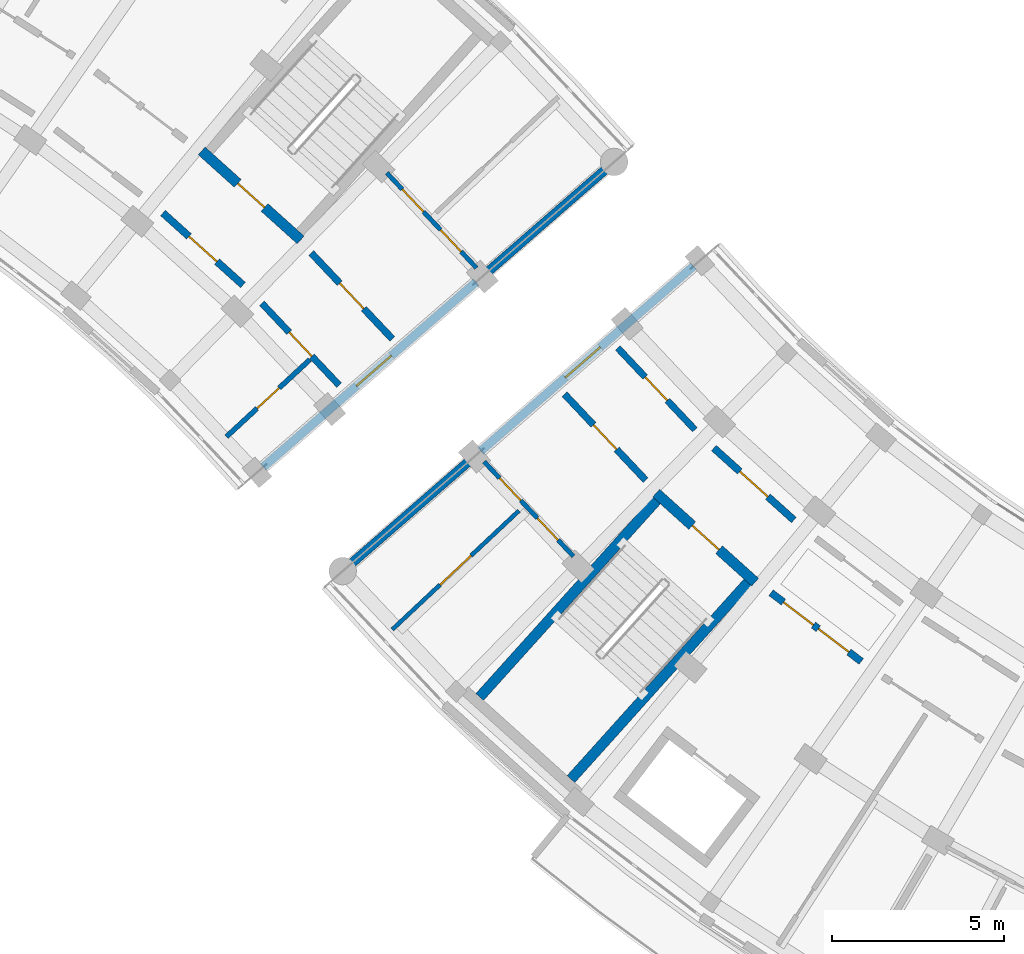
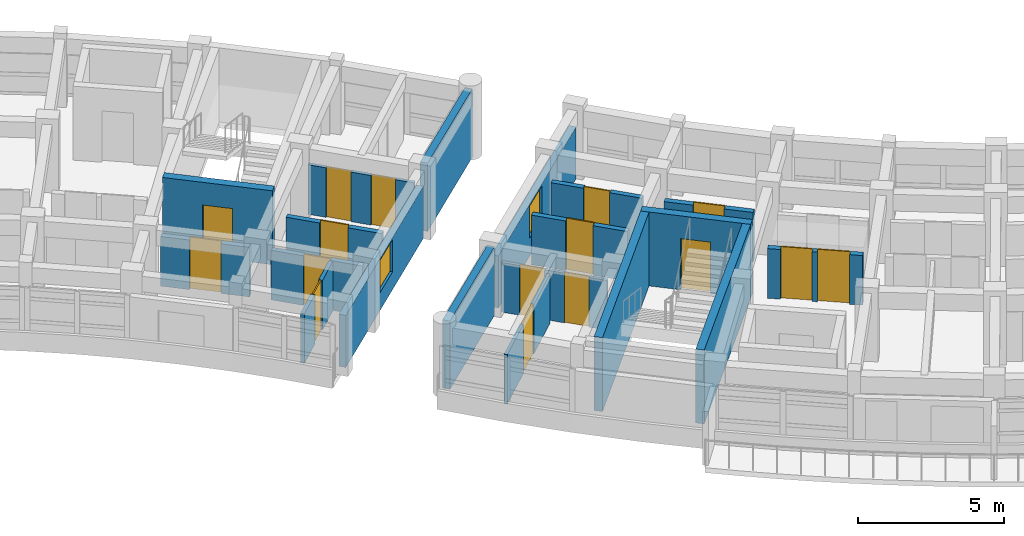
# One storey, part 32 of 54: 19 walls, 16 doors, 2 windows, 18 openings.
"""IFC4 building model written with IfcOpenShell, lengths in metres."""

from ifc_helpers import new_model, si_unit, direction, frame, frame_2d, origin, place, context, subcontext, project, spatial, rectangle, extrude, material, layer, layer_set, type_object, element, fill, save


model = new_model("IFC4")

# Units and contexts
model_context = context("Model", 3, precision=1e-05, world=origin(), true_north=direction((0.0, 1.0)))
body_context = subcontext(model_context, "Body", "Model", "MODEL_VIEW")
ifc_project = project(units=[si_unit("LENGTHUNIT", "METRE"), si_unit("AREAUNIT", "SQUARE_METRE"), si_unit("VOLUMEUNIT", "CUBIC_METRE"), si_unit("PLANEANGLEUNIT", "RADIAN"), si_unit("MASSUNIT", "GRAM", prefix="KILO")], contexts=[model_context])

# Site, building, storey
site_placement = place(None, origin())
site = spatial("IfcSite", under=ifc_project, at=site_placement, CompositionType="ELEMENT")
building_placement = place(site_placement, origin())
building = spatial("IfcBuilding", under=site, at=building_placement, Name="Zimvara Arc Housing Community", CompositionType="ELEMENT")
storey_placement = place(building_placement, frame((0.0, 0.0, 20.5)))
storey = spatial("IfcBuildingStorey", under=building, at=storey_placement, Name="L06", CompositionType="ELEMENT", Elevation=20.5)

# Wall, opening, window
ifc_material_1 = material(Name="Board-Marked Fair-Faced Concrete C35/45", Category="concrete")
ifc_layer_1 = layer(ifc_material_1, 0.2548828125)
ifc_layer_set_1 = layer_set([ifc_layer_1], Name="Board-Marked Fair-Faced Concrete C35/45")
wall_type_1 = type_object("IfcWallType", Name="EWL-CONC-255", PredefinedType="SOLIDWALL", material=ifc_layer_set_1)
wall_1_placement = place(storey_placement, frame((79.233642578125, 74.2587890625, 0.0), z_axis=(0.0, 0.0, 1.0), x_axis=(0.754717680958, 0.656049710044, 0.0)))
wall_1 = element("IfcWall", 1, at=wall_1_placement, inside=storey, type_object=wall_type_1, Name="ewall:blkB:L06:gN", PredefinedType="SOLIDWALL", context=body_context, shape_type="SweptSolid", body=[
    extrude(rectangle(XDim=8.199951171875, YDim=0.2548828125, at=frame_2d((4.10009765625, 0.0))), origin(), (0.0, 0.0, 1.0), 2.179931640625),
])
opening_1_placement = place(wall_1_placement, frame((3.590087890625, 0.0, 0.75)))
opening_1 = element("IfcOpeningElement", 2, at=opening_1_placement, cuts=wall_1, Name="Opening W12", PredefinedType="OPENING", context=body_context, shape_type="SweptSolid", body=[
    extrude(rectangle(XDim=1.35009765625, YDim=1.35009765625, at=frame_2d((0.675048828125, 0.675048828125))), frame((0.0, 0.137451171875, 0.0), z_axis=(0.0, -1.0, 0.0), x_axis=(1.0, 0.0, 0.0)), (0.0, 0.0, 1.0), 0.27490234375),
])
ifc_material_2 = material(Name="Solar Control Low-E Double Glazing", Category="glass")
window_type = type_object("IfcWindowType", Name="WIN-RES-1350x1350", PartitioningType="DOUBLE_PANEL_VERTICAL", PredefinedType="WINDOW", material=ifc_material_2)
window_1_placement = place(opening_1_placement, origin())
window_1 = element("IfcWindow", 3, at=window_1_placement, inside=storey, type_object=window_type, Name="win:blkB:L06:gN:w", OverallHeight=1.35009765625, OverallWidth=1.35009765625, PartitioningType="DOUBLE_PANEL_VERTICAL", PredefinedType="WINDOW", context=body_context, shape_type="SweptSolid", body=[
    extrude(rectangle(XDim=1.35009765625, YDim=1.35009765625, at=frame_2d((0.675048828125, 0.675048828125))), frame((0.0, 0.030029296875, 0.0), z_axis=(0.0, -1.0, 0.0), x_axis=(1.0, 0.0, 0.0)), (0.0, 0.0, 1.0), 0.06005859375),
])
fill(opening_1, window_1)

wall_2_placement = place(storey_placement, frame((91.746337890625, 80.10107421875, 0.0), z_axis=(0.0, 0.0, 1.0), x_axis=(-0.754704866158, -0.656064451862, 0.0)))
wall_2 = element("IfcWall", 4, at=wall_2_placement, inside=storey, type_object=wall_type_1, Name="ewall:blkC:L06:g0", PredefinedType="SOLIDWALL", context=body_context, shape_type="SweptSolid", body=[
    extrude(rectangle(XDim=8.199951171875, YDim=0.2548828125, at=frame_2d((4.10009765625, 0.0))), origin(), (0.0, 0.0, 1.0), 2.179931640625),
])
opening_2_placement = place(wall_2_placement, frame((3.590087890625, 0.0, 0.75)))
opening_2 = element("IfcOpeningElement", 5, at=opening_2_placement, cuts=wall_2, Name="Opening W12", PredefinedType="OPENING", context=body_context, shape_type="SweptSolid", body=[
    extrude(rectangle(XDim=1.35009765625, YDim=1.35009765625, at=frame_2d((0.675048828125, 0.675048828125))), frame((0.0, 0.137451171875, 0.0), z_axis=(0.0, -1.0, 0.0), x_axis=(1.0, 0.0, 0.0)), (0.0, 0.0, 1.0), 0.27490234375),
])
window_2_placement = place(opening_2_placement, origin())
window_2 = element("IfcWindow", 6, at=window_2_placement, inside=storey, type_object=window_type, Name="win:blkC:L06:g0:w", OverallHeight=1.35009765625, OverallWidth=1.35009765625, PartitioningType="DOUBLE_PANEL_VERTICAL", PredefinedType="WINDOW", context=body_context, shape_type="SweptSolid", body=[
    extrude(rectangle(XDim=1.35009765625, YDim=1.35009765625, at=frame_2d((0.675048828125, 0.675048828125))), frame((0.0, 0.030029296875, 0.0), z_axis=(0.0, -1.0, 0.0), x_axis=(1.0, 0.0, 0.0)), (0.0, 0.0, 1.0), 0.06005859375),
])
fill(opening_2, window_2)

# Wall, opening, door
ifc_material_3 = material(Name="Concrete C35/45", Category="concrete")
ifc_layer_2 = layer(ifc_material_3, 0.2099609375)
ifc_layer_set_2 = layer_set([ifc_layer_2], Name="Concrete C35/45")
wall_type_2 = type_object("IfcWallType", Name="IWL-CCF-210", PredefinedType="SOLIDWALL", material=ifc_layer_set_2)
wall_3_placement = place(storey_placement, frame((76.317138671875, 81.644287109375, 0.0), z_axis=(0.0, 0.0, 1.0), x_axis=(0.743387266925, -0.668861249718, 0.0)))
wall_3 = element("IfcWall", 7, at=wall_3_placement, inside=storey, type_object=wall_type_2, Name="iwall:blkB:L06:ccf_div:b8", PredefinedType="SOLIDWALL", context=body_context, shape_type="SweptSolid", body=[
    extrude(rectangle(XDim=3.12841796875, YDim=0.2099609375, at=frame_2d((1.564208984375, 0.0))), origin(), (0.0, 0.0, 1.0), 2.080078125),
])
opening_3_placement = place(wall_3_placement, frame((1.014404296875, 0.0, 0.0)))
opening_3 = element("IfcOpeningElement", 8, at=opening_3_placement, cuts=wall_3, Name="Opening FD-CCF1", PredefinedType="OPENING", context=body_context, shape_type="SweptSolid", body=[
    extrude(rectangle(XDim=1.10009765625, YDim=2.14990234375, at=frame_2d((0.550048828125, 1.074951171875))), frame((0.0, 0.114990234375, 0.0), z_axis=(0.0, -1.0, 0.0), x_axis=(1.0, 0.0, 0.0)), (0.0, 0.0, 1.0), 0.22998046875),
])
ifc_material_4 = material(Name="Anodised Aluminium AW-6063", Category="aluminium")
door_type_1 = type_object("IfcDoorType", Name="IDR-CCF-1100x2150", OperationType="NOTDEFINED", PredefinedType="DOOR", material=ifc_material_4)
door_1_placement = place(opening_3_placement, origin())
door_1 = element("IfcDoor", 9, at=door_1_placement, inside=storey, type_object=door_type_1, Name="idoor:blkB:L06:ccf_in:b8", OperationType="SINGLE_SWING_RIGHT", OverallHeight=2.14990234375, OverallWidth=1.10009765625, PredefinedType="DOOR", context=body_context, shape_type="SweptSolid", body=[
    extrude(rectangle(XDim=1.10009765625, YDim=2.14990234375, at=frame_2d((0.550048828125, 1.074951171875))), frame((0.0, 0.02490234375, 0.0), z_axis=(0.0, -1.0, 0.0), x_axis=(1.0, 0.0, 0.0)), (0.0, 0.0, 1.0), 0.050048828125),
])
fill(opening_3, door_1)

wall_4_placement = place(storey_placement, frame((92.337158203125, 74.808349609375, 0.0), z_axis=(0.0, 0.0, 1.0), x_axis=(0.743348465558, -0.668904371904, 0.0)))
wall_4 = element("IfcWall", 10, at=wall_4_placement, inside=storey, type_object=wall_type_2, Name="iwall:blkC:L06:ccf_div:b1", PredefinedType="SOLIDWALL", context=body_context, shape_type="SweptSolid", body=[
    extrude(rectangle(XDim=3.128662109375, YDim=0.2099609375, at=frame_2d((1.564453125, 0.0))), origin(), (0.0, 0.0, 1.0), 2.080078125),
])
opening_4_placement = place(wall_4_placement, frame((1.014404296875, 0.0, 0.0)))
opening_4 = element("IfcOpeningElement", 11, at=opening_4_placement, cuts=wall_4, Name="Opening FD-CCF1", PredefinedType="OPENING", context=body_context, shape_type="SweptSolid", body=[
    extrude(rectangle(XDim=1.10009765625, YDim=2.14990234375, at=frame_2d((0.550048828125, 1.074951171875))), frame((0.0, 0.114990234375, 0.0), z_axis=(0.0, -1.0, 0.0), x_axis=(1.0, 0.0, 0.0)), (0.0, 0.0, 1.0), 0.22998046875),
])
door_2_placement = place(opening_4_placement, origin())
door_2 = element("IfcDoor", 12, at=door_2_placement, inside=storey, type_object=door_type_1, Name="idoor:blkC:L06:ccf_in:b1", OperationType="SINGLE_SWING_RIGHT", OverallHeight=2.14990234375, OverallWidth=1.10009765625, PredefinedType="DOOR", context=body_context, shape_type="SweptSolid", body=[
    extrude(rectangle(XDim=1.10009765625, YDim=2.14990234375, at=frame_2d((0.550048828125, 1.074951171875))), frame((0.0, 0.02490234375, 0.0), z_axis=(0.0, -1.0, 0.0), x_axis=(1.0, 0.0, 0.0)), (0.0, 0.0, 1.0), 0.050048828125),
])
fill(opening_4, door_2)

# Wall, openings, doors
wall_5_placement = place(storey_placement, frame((94.001220703125, 70.6015625, 0.0), z_axis=(0.0, 0.0, 1.0), x_axis=(0.795498026433, -0.605956178235, 0.0)))
wall_5 = element("IfcWall", 13, at=wall_5_placement, inside=storey, type_object=wall_type_2, Name="iwall:blkC:L06:ll_div:b2", PredefinedType="SOLIDWALL", context=body_context, shape_type="SweptSolid", body=[
    extrude(rectangle(XDim=3.296142578125, YDim=0.2099609375, at=frame_2d((1.64794921875, 0.0))), origin(), (0.0, 0.0, 1.0), 2.080078125),
])
opening_5_placement = place(wall_5_placement, frame((0.449951171875, 0.0, 0.0)))
opening_5 = element("IfcOpeningElement", 14, at=opening_5_placement, cuts=wall_5, Name="Opening FD-CCF1", PredefinedType="OPENING", context=body_context, shape_type="SweptSolid", body=[
    extrude(rectangle(XDim=1.10009765625, YDim=2.14990234375, at=frame_2d((0.550048828125, 1.074951171875))), frame((0.0, 0.114990234375, 0.0), z_axis=(0.0, -1.0, 0.0), x_axis=(1.0, 0.0, 0.0)), (0.0, 0.0, 1.0), 0.22998046875),
])
opening_6_placement = place(wall_5_placement, frame((1.72607421875, 0.0, 0.0)))
opening_6 = element("IfcOpeningElement", 15, at=opening_6_placement, cuts=wall_5, Name="Opening D07", PredefinedType="OPENING", context=body_context, shape_type="SweptSolid", body=[
    extrude(rectangle(XDim=1.1201171875, YDim=2.14990234375, at=frame_2d((0.56005859375, 1.074951171875))), frame((0.0, 0.114990234375, 0.0), z_axis=(0.0, -1.0, 0.0), x_axis=(1.0, 0.0, 0.0)), (0.0, 0.0, 1.0), 0.22998046875),
])
ifc_material_5 = material(Name="Mozambican Hardwood", Category="wood")
door_type_2 = type_object("IfcDoorType", Name="IDR-AMN-1120x2150", OperationType="NOTDEFINED", PredefinedType="DOOR", material=ifc_material_5)
door_3_placement = place(opening_6_placement, origin())
door_3 = element("IfcDoor", 16, at=door_3_placement, inside=storey, type_object=door_type_2, Name="idoor:blkC:L06:rs_in:b2", OperationType="SINGLE_SWING_RIGHT", OverallHeight=2.14990234375, OverallWidth=1.1201171875, PredefinedType="DOOR", context=body_context, shape_type="SweptSolid", body=[
    extrude(rectangle(XDim=1.1201171875, YDim=2.14990234375, at=frame_2d((0.56005859375, 1.074951171875))), frame((0.0, 0.02490234375, 0.0), z_axis=(0.0, -1.0, 0.0), x_axis=(1.0, 0.0, 0.0)), (0.0, 0.0, 1.0), 0.050048828125),
])
fill(opening_6, door_3)
door_4_placement = place(opening_5_placement, origin())
door_4 = element("IfcDoor", 17, at=door_4_placement, inside=storey, type_object=door_type_1, Name="idoor:blkC:L06:ll_in:b2", OperationType="SINGLE_SWING_LEFT", OverallHeight=2.14990234375, OverallWidth=1.10009765625, PredefinedType="DOOR", context=body_context, shape_type="SweptSolid", body=[
    extrude(rectangle(XDim=1.10009765625, YDim=2.14990234375, at=frame_2d((0.550048828125, 1.074951171875))), frame((0.0, 0.02490234375, 0.0), z_axis=(0.0, -1.0, 0.0), x_axis=(1.0, 0.0, 0.0)), (0.0, 0.0, 1.0), 0.050048828125),
])
fill(opening_5, door_4)

# Wall, opening, door
ifc_material_6 = material(Name="Concrete C35/45", Category="concrete")
ifc_layer_3 = layer(ifc_material_6, 0.18994140625)
ifc_layer_set_3 = layer_set([ifc_layer_3], Name="Concrete C35/45")
wall_type_3 = type_object("IfcWallType", Name="IWL-CORR-190", PredefinedType="SOLIDWALL", material=ifc_layer_set_3)
wall_6_placement = place(storey_placement, frame((79.1953125, 79.016357421875, 0.0), z_axis=(0.0, 0.0, 1.0), x_axis=(0.686307658735, -0.727311348434, 0.0)))
wall_6 = element("IfcWall", 18, at=wall_6_placement, inside=storey, type_object=wall_type_3, Name="iwall:blkB:L06:corr_in:b9", PredefinedType="SOLIDWALL", context=body_context, shape_type="SweptSolid", body=[
    extrude(rectangle(XDim=3.268798828125, YDim=0.18994140625, at=frame_2d((1.63427734375, 0.0))), origin(), (0.0, 0.0, 1.0), 2.080078125),
])
opening_7_placement = place(wall_6_placement, frame((1.154296875, 0.0, 0.0)))
opening_7 = element("IfcOpeningElement", 19, at=opening_7_placement, cuts=wall_6, Name="Opening D04", PredefinedType="OPENING", context=body_context, shape_type="SweptSolid", body=[
    extrude(rectangle(XDim=0.9599609375, YDim=2.10009765625, at=frame_2d((0.47998046875, 1.050048828125))), frame((0.0, 0.10498046875, 0.0), z_axis=(0.0, -1.0, 0.0), x_axis=(1.0, 0.0, 0.0)), (0.0, 0.0, 1.0), 0.2099609375),
])
ifc_material_7 = material(Name="Mozambican Hardwood", Category="wood")
door_type_3 = type_object("IfcDoorType", Name="IDR-RM-0960x2100", OperationType="NOTDEFINED", PredefinedType="DOOR", material=ifc_material_7)
door_5_placement = place(opening_7_placement, origin())
door_5 = element("IfcDoor", 20, at=door_5_placement, inside=storey, type_object=door_type_3, Name="idoor:blkB:L06:in_rm:b9", OperationType="SINGLE_SWING_RIGHT", OverallHeight=2.10009765625, OverallWidth=0.9599609375, PredefinedType="DOOR", context=body_context, shape_type="SweptSolid", body=[
    extrude(rectangle(XDim=0.9599609375, YDim=2.10009765625, at=frame_2d((0.47998046875, 1.050048828125))), frame((0.0, 0.02490234375, 0.0), z_axis=(0.0, -1.0, 0.0), x_axis=(1.0, 0.0, 0.0)), (0.0, 0.0, 1.0), 0.050048828125),
])
fill(opening_7, door_5)

wall_7_placement = place(storey_placement, frame((89.541259765625, 77.720947265625, 0.0), z_axis=(0.0, 0.0, 1.0), x_axis=(0.686344941052, -0.727276166179, 0.0)))
wall_7 = element("IfcWall", 21, at=wall_7_placement, inside=storey, type_object=wall_type_3, Name="iwall:blkC:L06:corr_in:b0", PredefinedType="SOLIDWALL", context=body_context, shape_type="SweptSolid", body=[
    extrude(rectangle(XDim=3.2685546875, YDim=0.18994140625, at=frame_2d((1.63427734375, 0.0))), origin(), (0.0, 0.0, 1.0), 2.080078125),
])
opening_8_placement = place(wall_7_placement, frame((1.164306640625, 0.0, 0.0)))
opening_8 = element("IfcOpeningElement", 22, at=opening_8_placement, cuts=wall_7, Name="Opening D03", PredefinedType="OPENING", context=body_context, shape_type="SweptSolid", body=[
    extrude(rectangle(XDim=0.93994140625, YDim=2.10009765625, at=frame_2d((0.469970703125, 1.050048828125))), frame((0.0, 0.10498046875, 0.0), z_axis=(0.0, -1.0, 0.0), x_axis=(1.0, 0.0, 0.0)), (0.0, 0.0, 1.0), 0.2099609375),
])
ifc_material_8 = material(Name="Mozambican Hardwood", Category="wood")
door_type_4 = type_object("IfcDoorType", Name="IDR-RM-0940x2100", OperationType="NOTDEFINED", PredefinedType="DOOR", material=ifc_material_8)
door_6_placement = place(opening_8_placement, origin())
door_6 = element("IfcDoor", 23, at=door_6_placement, inside=storey, type_object=door_type_4, Name="idoor:blkC:L06:in_rm:b0", OperationType="SINGLE_SWING_RIGHT", OverallHeight=2.10009765625, OverallWidth=0.93994140625, PredefinedType="DOOR", context=body_context, shape_type="SweptSolid", body=[
    extrude(rectangle(XDim=0.93994140625, YDim=2.10009765625, at=frame_2d((0.469970703125, 1.050048828125))), frame((0.0, 0.02490234375, 0.0), z_axis=(0.0, -1.0, 0.0), x_axis=(1.0, 0.0, 0.0)), (0.0, 0.0, 1.0), 0.050048828125),
])
fill(opening_8, door_6)

ifc_material_9 = material(Name="Concrete C35/45", Category="concrete")
ifc_layer_4 = layer(ifc_material_9, 0.199951171875)
ifc_layer_set_4 = layer_set([ifc_layer_4], Name="Concrete C35/45")
wall_type_4 = type_object("IfcWallType", Name="IWL-CORR-200", PredefinedType="SOLIDWALL", material=ifc_layer_set_4)
wall_8_placement = place(storey_placement, frame((80.627685546875, 80.48291015625, 0.0), z_axis=(0.0, 0.0, 1.0), x_axis=(0.686310507227, -0.727308660522, 0.0)))
wall_8 = element("IfcWall", 24, at=wall_8_placement, inside=storey, type_object=wall_type_4, Name="iwall:blkB:L06:corr_out:b9", PredefinedType="SOLIDWALL", context=body_context, shape_type="SweptSolid", body=[
    extrude(rectangle(XDim=3.43603515625, YDim=0.199951171875, at=frame_2d((1.718017578125, 0.0))), origin(), (0.0, 0.0, 1.0), 2.080078125),
])
opening_9_placement = place(wall_8_placement, frame((1.2080078125, 0.0, 0.0)))
opening_9 = element("IfcOpeningElement", 25, at=opening_9_placement, cuts=wall_8, Name="Opening FD-FL2", PredefinedType="OPENING", context=body_context, shape_type="SweptSolid", body=[
    extrude(rectangle(XDim=1.02001953125, YDim=2.14990234375, at=frame_2d((0.510009765625, 1.074951171875))), frame((0.0, 0.10986328125, 0.0), z_axis=(0.0, -1.0, 0.0), x_axis=(1.0, 0.0, 0.0)), (0.0, 0.0, 1.0), 0.219970703125),
])
ifc_material_10 = material(Name="Mozambican Hardwood", Category="wood")
door_type_5 = type_object("IfcDoorType", Name="IDR-FLAT-1020x2150", OperationType="NOTDEFINED", PredefinedType="DOOR", material=ifc_material_10)
door_7_placement = place(opening_9_placement, origin())
door_7 = element("IfcDoor", 26, at=door_7_placement, inside=storey, type_object=door_type_5, Name="idoor:blkB:L06:flat:b9", OperationType="SINGLE_SWING_LEFT", OverallHeight=2.14990234375, OverallWidth=1.02001953125, PredefinedType="DOOR", context=body_context, shape_type="SweptSolid", body=[
    extrude(rectangle(XDim=1.02001953125, YDim=2.14990234375, at=frame_2d((0.510009765625, 1.074951171875))), frame((0.0, 0.02490234375, 0.0), z_axis=(0.0, -1.0, 0.0), x_axis=(1.0, 0.0, 0.0)), (0.0, 0.0, 1.0), 0.050048828125),
])
fill(opening_9, door_7)

wall_9_placement = place(storey_placement, frame((87.994140625, 76.3759765625, 0.0), z_axis=(0.0, 0.0, 1.0), x_axis=(0.686310507227, -0.727308660522, 0.0)))
wall_9 = element("IfcWall", 27, at=wall_9_placement, inside=storey, type_object=wall_type_4, Name="iwall:blkC:L06:corr_out:b0", PredefinedType="SOLIDWALL", context=body_context, shape_type="SweptSolid", body=[
    extrude(rectangle(XDim=3.43603515625, YDim=0.199951171875, at=frame_2d((1.718017578125, 0.0))), origin(), (0.0, 0.0, 1.0), 2.080078125),
])
opening_10_placement = place(wall_9_placement, frame((1.22802734375, 0.0, 0.0)))
opening_10 = element("IfcOpeningElement", 28, at=opening_10_placement, cuts=wall_9, Name="Opening FD-FL1", PredefinedType="OPENING", context=body_context, shape_type="SweptSolid", body=[
    extrude(rectangle(XDim=0.97998046875, YDim=2.14990234375, at=frame_2d((0.489990234375, 1.074951171875))), frame((0.0, 0.10986328125, 0.0), z_axis=(0.0, -1.0, 0.0), x_axis=(1.0, 0.0, 0.0)), (0.0, 0.0, 1.0), 0.219970703125),
])
ifc_material_11 = material(Name="Mozambican Hardwood", Category="wood")
door_type_6 = type_object("IfcDoorType", Name="IDR-FLAT-0980x2150", OperationType="NOTDEFINED", PredefinedType="DOOR", material=ifc_material_11)
door_8_placement = place(opening_10_placement, origin())
door_8 = element("IfcDoor", 29, at=door_8_placement, inside=storey, type_object=door_type_6, Name="idoor:blkC:L06:flat:b0", OperationType="SINGLE_SWING_LEFT", OverallHeight=2.14990234375, OverallWidth=0.97998046875, PredefinedType="DOOR", context=body_context, shape_type="SweptSolid", body=[
    extrude(rectangle(XDim=0.97998046875, YDim=2.14990234375, at=frame_2d((0.489990234375, 1.074951171875))), frame((0.0, 0.02490234375, 0.0), z_axis=(0.0, -1.0, 0.0), x_axis=(1.0, 0.0, 0.0)), (0.0, 0.0, 1.0), 0.050048828125),
])
fill(opening_10, door_8)

ifc_material_12 = material(Name="Painted Acoustic Plasterboard")
ifc_layer_5 = layer(ifc_material_12, 0.1201171875)
ifc_layer_set_5 = layer_set([ifc_layer_5], Name="Painted Acoustic Plasterboard")
wall_type_5 = type_object("IfcWallType", Name="IWL-PART-120", PredefinedType="PARTITIONING", material=ifc_layer_set_5)
wall_10_placement = place(storey_placement, frame((86.66748046875, 72.9853515625, 0.0), z_axis=(0.0, 0.0, 1.0), x_axis=(-0.72936983679, -0.684119610288, 0.0)))
wall_10 = element("IfcWall", 30, at=wall_10_placement, inside=storey, type_object=wall_type_5, Name="iwall:blkC:L06:bed_div:b0", PredefinedType="PARTITIONING", context=body_context, shape_type="SweptSolid", body=[
    extrude(rectangle(XDim=5.050048828125, YDim=0.1201171875, at=frame_2d((2.52490234375, 0.0))), origin(), (0.0, 0.0, 1.0), 2.080078125),
])
opening_11_placement = place(wall_10_placement, frame((1.905029296875, 0.0, 0.0)))
opening_11 = element("IfcOpeningElement", 31, at=opening_11_placement, cuts=wall_10, Name="Opening D19", PredefinedType="OPENING", context=body_context, shape_type="SweptSolid", body=[
    extrude(rectangle(XDim=1.239990234375, YDim=2.10009765625, at=frame_2d((0.6201171875, 1.050048828125))), frame((0.0, 0.070068359375, 0.0), z_axis=(0.0, -1.0, 0.0), x_axis=(1.0, 0.0, 0.0)), (0.0, 0.0, 1.0), 0.14013671875),
])
ifc_material_13 = material(Name="Mozambican Hardwood", Category="wood")
door_type_7 = type_object("IfcDoorType", Name="IDR-MOD-1240x2180", OperationType="NOTDEFINED", PredefinedType="DOOR", material=ifc_material_13)
door_9_placement = place(opening_11_placement, origin())
door_9 = element("IfcDoor", 32, at=door_9_placement, inside=storey, type_object=door_type_7, Name="idoor:blkC:L06:bed_d:b0", OperationType="SINGLE_SWING_LEFT", OverallHeight=2.10009765625, OverallWidth=1.239990234375, PredefinedType="DOOR", context=body_context, shape_type="SweptSolid", body=[
    extrude(rectangle(XDim=1.239990234375, YDim=2.10009765625, at=frame_2d((0.6201171875, 1.050048828125))), frame((0.0, 0.02490234375, 0.0), z_axis=(0.0, -1.0, 0.0), x_axis=(1.0, 0.0, 0.0)), (0.0, 0.0, 1.0), 0.050048828125),
])
fill(opening_11, door_9)

# Wall, openings, doors
ifc_material_14 = material(Name="Painted Acoustic Plasterboard")
ifc_layer_6 = layer(ifc_material_14, 0.1298828125)
ifc_layer_set_6 = layer_set([ifc_layer_6], Name="Painted Acoustic Plasterboard")
wall_type_6 = type_object("IfcWallType", Name="IWL-PART-130", PredefinedType="PARTITIONING", material=ifc_layer_set_6)
wall_11_placement = place(storey_placement, frame((82.8291015625, 82.808837890625, 0.0), z_axis=(0.0, 0.0, 1.0), x_axis=(0.686300649561, -0.727317962388, 0.0)))
wall_11 = element("IfcWall", 33, at=wall_11_placement, inside=storey, type_object=wall_type_6, Name="iwall:blkB:L06:srv:b9", PredefinedType="PARTITIONING", context=body_context, shape_type="SweptSolid", body=[
    extrude(rectangle(XDim=3.79736328125, YDim=0.1298828125, at=frame_2d((1.898681640625, 0.0))), origin(), (0.0, 0.0, 1.0), 2.080078125),
])
opening_12_placement = place(wall_11_placement, frame((0.64990234375, 0.0, 0.0)))
opening_12 = element("IfcOpeningElement", 34, at=opening_12_placement, cuts=wall_11, Name="Opening D01", PredefinedType="OPENING", context=body_context, shape_type="SweptSolid", body=[
    extrude(rectangle(XDim=0.89990234375, YDim=2.10009765625, at=frame_2d((0.449951171875, 1.050048828125))), frame((0.0, 0.074951171875, 0.0), z_axis=(0.0, -1.0, 0.0), x_axis=(1.0, 0.0, 0.0)), (0.0, 0.0, 1.0), 0.14990234375),
])
opening_13_placement = place(wall_11_placement, frame((2.267333984375, 0.0, 0.0)))
opening_13 = element("IfcOpeningElement", 35, at=opening_13_placement, cuts=wall_11, Name="Opening D05", PredefinedType="OPENING", context=body_context, shape_type="SweptSolid", body=[
    extrude(rectangle(XDim=0.8798828125, YDim=2.10009765625, at=frame_2d((0.43994140625, 1.050048828125))), frame((0.0, 0.074951171875, 0.0), z_axis=(0.0, -1.0, 0.0), x_axis=(1.0, 0.0, 0.0)), (0.0, 0.0, 1.0), 0.14990234375),
])
ifc_material_15 = material(Name="Mozambican Hardwood", Category="wood")
door_type_8 = type_object("IfcDoorType", Name="IDR-RM-0900x2100", OperationType="NOTDEFINED", PredefinedType="DOOR", material=ifc_material_15)
door_10_placement = place(opening_12_placement, origin())
door_10 = element("IfcDoor", 36, at=door_10_placement, inside=storey, type_object=door_type_8, Name="idoor:blkB:L06:kit_liv:b9", OperationType="SINGLE_SWING_RIGHT", OverallHeight=2.10009765625, OverallWidth=0.89990234375, PredefinedType="DOOR", context=body_context, shape_type="SweptSolid", body=[
    extrude(rectangle(XDim=0.89990234375, YDim=2.10009765625, at=frame_2d((0.449951171875, 1.050048828125))), frame((0.0, 0.02490234375, 0.0), z_axis=(0.0, -1.0, 0.0), x_axis=(1.0, 0.0, 0.0)), (0.0, 0.0, 1.0), 0.050048828125),
])
fill(opening_12, door_10)
ifc_material_16 = material(Name="Mozambican Hardwood", Category="wood")
door_type_9 = type_object("IfcDoorType", Name="IDR-WC-0880x2100", OperationType="NOTDEFINED", PredefinedType="DOOR", material=ifc_material_16)
door_11_placement = place(opening_13_placement, origin())
door_11 = element("IfcDoor", 37, at=door_11_placement, inside=storey, type_object=door_type_9, Name="idoor:blkB:L06:bath_d:b9", OperationType="SINGLE_SWING_LEFT", OverallHeight=2.10009765625, OverallWidth=0.8798828125, PredefinedType="DOOR", context=body_context, shape_type="SweptSolid", body=[
    extrude(rectangle(XDim=0.8798828125, YDim=2.10009765625, at=frame_2d((0.43994140625, 1.050048828125))), frame((0.0, 0.02490234375, 0.0), z_axis=(0.0, -1.0, 0.0), x_axis=(1.0, 0.0, 0.0)), (0.0, 0.0, 1.0), 0.050048828125),
])
fill(opening_13, door_11)

wall_12_placement = place(storey_placement, frame((85.657958984375, 74.411376953125, 0.0), z_axis=(0.0, 0.0, 1.0), x_axis=(0.686364008772, -0.727258171121, 0.0)))
wall_12 = element("IfcWall", 38, at=wall_12_placement, inside=storey, type_object=wall_type_6, Name="iwall:blkC:L06:srv:b0", PredefinedType="PARTITIONING", context=body_context, shape_type="SweptSolid", body=[
    extrude(rectangle(XDim=3.784912109375, YDim=0.1298828125, at=frame_2d((1.892578125, 0.0))), origin(), (0.0, 0.0, 1.0), 2.080078125),
])
opening_14_placement = place(wall_12_placement, frame((0.64990234375, 0.0, 0.0)))
opening_14 = element("IfcOpeningElement", 39, at=opening_14_placement, cuts=wall_12, Name="Opening D01", PredefinedType="OPENING", context=body_context, shape_type="SweptSolid", body=[
    extrude(rectangle(XDim=0.89990234375, YDim=2.10009765625, at=frame_2d((0.449951171875, 1.050048828125))), frame((0.0, 0.074951171875, 0.0), z_axis=(0.0, -1.0, 0.0), x_axis=(1.0, 0.0, 0.0)), (0.0, 0.0, 1.0), 0.14990234375),
])
opening_15_placement = place(wall_12_placement, frame((2.255126953125, 0.0, 0.0)))
opening_15 = element("IfcOpeningElement", 40, at=opening_15_placement, cuts=wall_12, Name="Opening D05", PredefinedType="OPENING", context=body_context, shape_type="SweptSolid", body=[
    extrude(rectangle(XDim=0.8798828125, YDim=2.10009765625, at=frame_2d((0.43994140625, 1.050048828125))), frame((0.0, 0.074951171875, 0.0), z_axis=(0.0, -1.0, 0.0), x_axis=(1.0, 0.0, 0.0)), (0.0, 0.0, 1.0), 0.14990234375),
])
door_12_placement = place(opening_14_placement, origin())
door_12 = element("IfcDoor", 41, at=door_12_placement, inside=storey, type_object=door_type_8, Name="idoor:blkC:L06:kit_liv:b0", OperationType="SINGLE_SWING_LEFT", OverallHeight=2.10009765625, OverallWidth=0.89990234375, PredefinedType="DOOR", context=body_context, shape_type="SweptSolid", body=[
    extrude(rectangle(XDim=0.89990234375, YDim=2.10009765625, at=frame_2d((0.449951171875, 1.050048828125))), frame((0.0, 0.02490234375, 0.0), z_axis=(0.0, -1.0, 0.0), x_axis=(1.0, 0.0, 0.0)), (0.0, 0.0, 1.0), 0.050048828125),
])
fill(opening_14, door_12)
door_13_placement = place(opening_15_placement, origin())
door_13 = element("IfcDoor", 42, at=door_13_placement, inside=storey, type_object=door_type_9, Name="idoor:blkC:L06:bath_d:b0", OperationType="SINGLE_SWING_RIGHT", OverallHeight=2.10009765625, OverallWidth=0.8798828125, PredefinedType="DOOR", context=body_context, shape_type="SweptSolid", body=[
    extrude(rectangle(XDim=0.8798828125, YDim=2.10009765625, at=frame_2d((0.43994140625, 1.050048828125))), frame((0.0, 0.02490234375, 0.0), z_axis=(0.0, -1.0, 0.0), x_axis=(1.0, 0.0, 0.0)), (0.0, 0.0, 1.0), 0.050048828125),
])
fill(opening_15, door_13)

# Wall, opening, door
ifc_material_17 = material(Name="Painted Acoustic Plasterboard")
ifc_layer_7 = layer(ifc_material_17, 0.14501953125)
ifc_layer_set_7 = layer_set([ifc_layer_7], Name="Painted Acoustic Plasterboard")
wall_type_7 = type_object("IfcWallType", Name="IWL-WET-145", PredefinedType="PARTITIONING", material=ifc_layer_set_7)
wall_13_placement = place(storey_placement, frame((78.16259765625, 75.139404296875, 0.0), z_axis=(0.0, 0.0, 1.0), x_axis=(0.734519733107, 0.678587327967, 0.0)))
wall_13 = element("IfcWall", 43, at=wall_13_placement, inside=storey, type_object=wall_type_7, Name="iwall:blkB:L06:ens:b9", PredefinedType="PARTITIONING", context=body_context, shape_type="SweptSolid", body=[
    extrude(rectangle(XDim=3.2998046875, YDim=0.14501953125, at=frame_2d((1.64990234375, 0.0))), origin(), (0.0, 0.0, 1.0), 2.080078125),
])
opening_16_placement = place(wall_13_placement, frame((1.2099609375, 0.0, 0.0)))
opening_16 = element("IfcOpeningElement", 44, at=opening_16_placement, cuts=wall_13, Name="Opening D05", PredefinedType="OPENING", context=body_context, shape_type="SweptSolid", body=[
    extrude(rectangle(XDim=0.8798828125, YDim=2.10009765625, at=frame_2d((0.43994140625, 1.050048828125))), frame((0.0, 0.08251953125, 0.0), z_axis=(0.0, -1.0, 0.0), x_axis=(1.0, 0.0, 0.0)), (0.0, 0.0, 1.0), 0.1650390625),
])
door_14_placement = place(opening_16_placement, origin())
door_14 = element("IfcDoor", 45, at=door_14_placement, inside=storey, type_object=door_type_9, Name="idoor:blkB:L06:ens_d:b9", OperationType="SINGLE_SWING_LEFT", OverallHeight=2.10009765625, OverallWidth=0.8798828125, PredefinedType="DOOR", context=body_context, shape_type="SweptSolid", body=[
    extrude(rectangle(XDim=0.8798828125, YDim=2.10009765625, at=frame_2d((0.43994140625, 1.050048828125))), frame((0.0, 0.02490234375, 0.0), z_axis=(0.0, -1.0, 0.0), x_axis=(1.0, 0.0, 0.0)), (0.0, 0.0, 1.0), 0.050048828125),
])
fill(opening_16, door_14)

ifc_material_18 = material(Name="Concrete C40/50", Category="concrete")
ifc_layer_8 = layer(ifc_material_18, 0.300048828125)
ifc_layer_set_8 = layer_set([ifc_layer_8], Name="Concrete C40/50")
wall_type_8 = type_object("IfcWallType", Name="WL-CORE-300", PredefinedType="SHEAR", material=ifc_layer_set_8)
wall_14_placement = place(storey_placement, frame((80.320068359375, 80.861572265625, 0.0), z_axis=(0.0, 0.0, 1.0), x_axis=(-0.743375696158, 0.668874109501, 0.0)))
wall_14 = element("IfcWall", 46, at=wall_14_placement, inside=storey, type_object=wall_type_8, Name="cwall:ST-B2:L06:near", PredefinedType="SHEAR", context=body_context, shape_type="SweptSolid", body=[
    extrude(rectangle(XDim=3.8701171875, YDim=0.300048828125, at=frame_2d((1.93505859375, 0.0))), origin(), (0.0, 0.0, 1.0), 3.10009765625),
])
opening_17_placement = place(wall_14_placement, frame((1.409912109375, 0.0, 0.0)))
opening_17 = element("IfcOpeningElement", 47, at=opening_17_placement, cuts=wall_14, Name="Opening FD-ST2", PredefinedType="OPENING", context=body_context, shape_type="SweptSolid", body=[
    extrude(rectangle(XDim=1.050048828125, YDim=2.14990234375, at=frame_2d((0.52490234375, 1.074951171875))), frame((0.0, 0.159912109375, 0.0), z_axis=(0.0, -1.0, 0.0), x_axis=(1.0, 0.0, 0.0)), (0.0, 0.0, 1.0), 0.320068359375),
])
ifc_material_19 = material(Name="Anodised Aluminium AW-6063", Category="aluminium")
door_type_10 = type_object("IfcDoorType", Name="IDR-ST-1050x2150", OperationType="NOTDEFINED", PredefinedType="DOOR", material=ifc_material_19)
door_15_placement = place(opening_17_placement, origin())
door_15 = element("IfcDoor", 48, at=door_15_placement, inside=storey, type_object=door_type_10, Name="idoor:ST-B2:L06:entry", OperationType="SINGLE_SWING_RIGHT", OverallHeight=2.14990234375, OverallWidth=1.050048828125, PredefinedType="DOOR", context=body_context, shape_type="SweptSolid", body=[
    extrude(rectangle(XDim=1.050048828125, YDim=2.14990234375, at=frame_2d((0.52490234375, 1.074951171875))), frame((0.0, 0.02490234375, 0.0), z_axis=(0.0, -1.0, 0.0), x_axis=(1.0, 0.0, 0.0)), (0.0, 0.0, 1.0), 0.050048828125),
])
fill(opening_17, door_15)

wall_15_placement = place(storey_placement, frame((90.659912109375, 73.49853515625, 0.0), z_axis=(0.0, 0.0, 1.0), x_axis=(0.743375696158, -0.668874109501, 0.0)))
wall_15 = element("IfcWall", 49, at=wall_15_placement, inside=storey, type_object=wall_type_8, Name="cwall:ST-C1:L06:near", PredefinedType="SHEAR", context=body_context, shape_type="SweptSolid", body=[
    extrude(rectangle(XDim=3.8701171875, YDim=0.300048828125, at=frame_2d((1.93505859375, 0.0))), origin(), (0.0, 0.0, 1.0), 3.10009765625),
])
opening_18_placement = place(wall_15_placement, frame((1.409912109375, 0.0, 0.0)))
opening_18 = element("IfcOpeningElement", 50, at=opening_18_placement, cuts=wall_15, Name="Opening FD-ST2", PredefinedType="OPENING", context=body_context, shape_type="SweptSolid", body=[
    extrude(rectangle(XDim=1.050048828125, YDim=2.14990234375, at=frame_2d((0.52490234375, 1.074951171875))), frame((0.0, 0.159912109375, 0.0), z_axis=(0.0, -1.0, 0.0), x_axis=(1.0, 0.0, 0.0)), (0.0, 0.0, 1.0), 0.320068359375),
])
door_16_placement = place(opening_18_placement, origin())
door_16 = element("IfcDoor", 51, at=door_16_placement, inside=storey, type_object=door_type_10, Name="idoor:ST-C1:L06:entry", OperationType="SINGLE_SWING_RIGHT", OverallHeight=2.14990234375, OverallWidth=1.050048828125, PredefinedType="DOOR", context=body_context, shape_type="SweptSolid", body=[
    extrude(rectangle(XDim=1.050048828125, YDim=2.14990234375, at=frame_2d((0.52490234375, 1.074951171875))), frame((0.0, 0.02490234375, 0.0), z_axis=(0.0, -1.0, 0.0), x_axis=(1.0, 0.0, 0.0)), (0.0, 0.0, 1.0), 0.050048828125),
])
fill(opening_18, door_16)

# Walls
wall_16_placement = place(storey_placement, frame((90.671142578125, 73.28662109375, 0.0), z_axis=(0.0, 0.0, 1.0), x_axis=(-0.668885797871, -0.743365179038, 0.0)))
element("IfcWall", 52, at=wall_16_placement, inside=storey, type_object=wall_type_8, Name="cwall:ST-C1:L06:left", PredefinedType="SHEAR", context=body_context, shape_type="SweptSolid", body=[
    extrude(rectangle(XDim=7.690185546875, YDim=0.300048828125, at=frame_2d((3.84521484375, 0.0))), origin(), (0.0, 0.0, 1.0), 3.10009765625),
])
wall_17_placement = place(storey_placement, frame((93.324951171875, 70.898681640625, 0.0), z_axis=(0.0, 0.0, 1.0), x_axis=(-0.668868253964, -0.743380964808, 0.0)))
element("IfcWall", 53, at=wall_17_placement, inside=storey, type_object=wall_type_8, Name="cwall:ST-C1:L06:right", PredefinedType="SHEAR", context=body_context, shape_type="SweptSolid", body=[
    extrude(rectangle(XDim=7.68994140625, YDim=0.300048828125, at=frame_2d((3.844970703125, 0.0))), origin(), (0.0, 0.0, 1.0), 3.10009765625),
])
ifc_material_20 = material(Name="Concrete C40/50", Category="concrete")
ifc_layer_9 = layer(ifc_material_20, 0.27001953125)
ifc_layer_set_9 = layer_set([ifc_layer_9], Name="Concrete C40/50")
wall_type_9 = type_object("IfcWallType", Name="WL-SHEAR-270", PredefinedType="SHEAR", material=ifc_layer_set_9)
for number, where, z_axis, x_axis, name in (
    (54, (85.7392578125, 79.9140625, 0.0), (0.0, 0.0, 1.0), (0.754703505217, 0.65606601742, 0.0), "swall:blkB:L06:east"),
    (55, (85.24072265625, 74.446044921875, 0.0), (0.0, 0.0, 1.0), (-0.754703505217, -0.65606601742, 0.0), "swall:blkC:L06:west"),
):
    element("IfcWall", number, at=place(storey_placement, frame(where, z_axis=z_axis, x_axis=x_axis)), inside=storey, type_object=wall_type_9, Name=name, PredefinedType="SHEAR", context=body_context, shape_type="SweptSolid", body=[
        extrude(rectangle(XDim=4.719970703125, YDim=0.27001953125, at=frame_2d((2.35986328125, 0.0))), origin(), (0.0, 0.0, 1.0), 2.860107421875),
    ])

save(model, "model.ifc")
